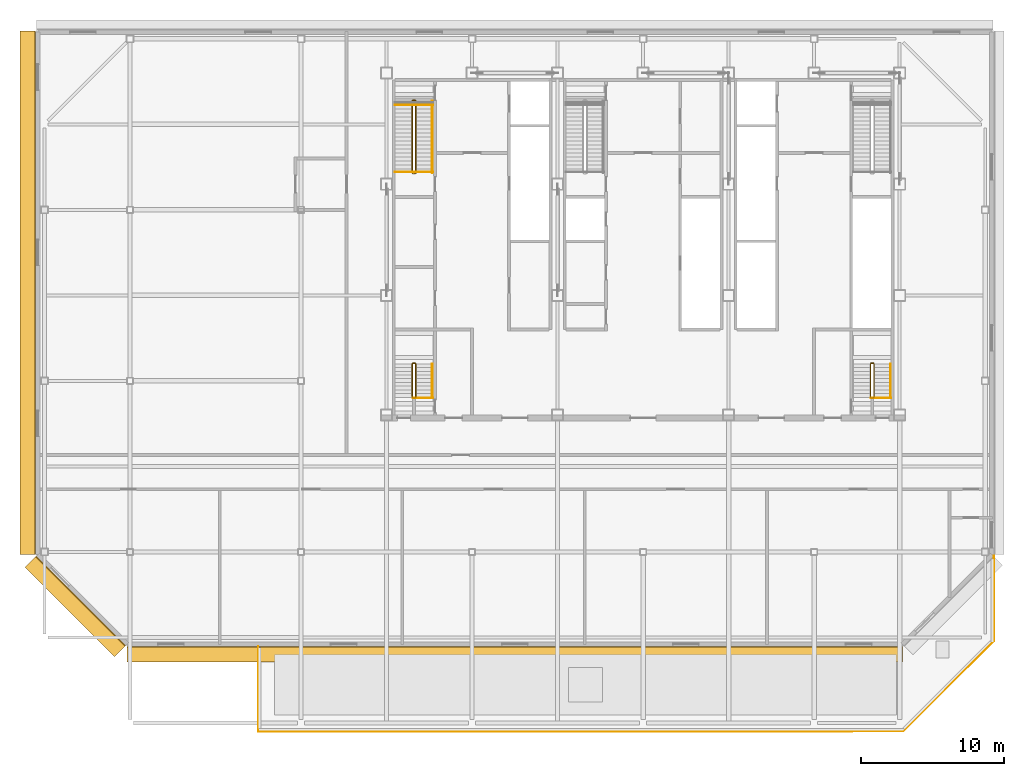
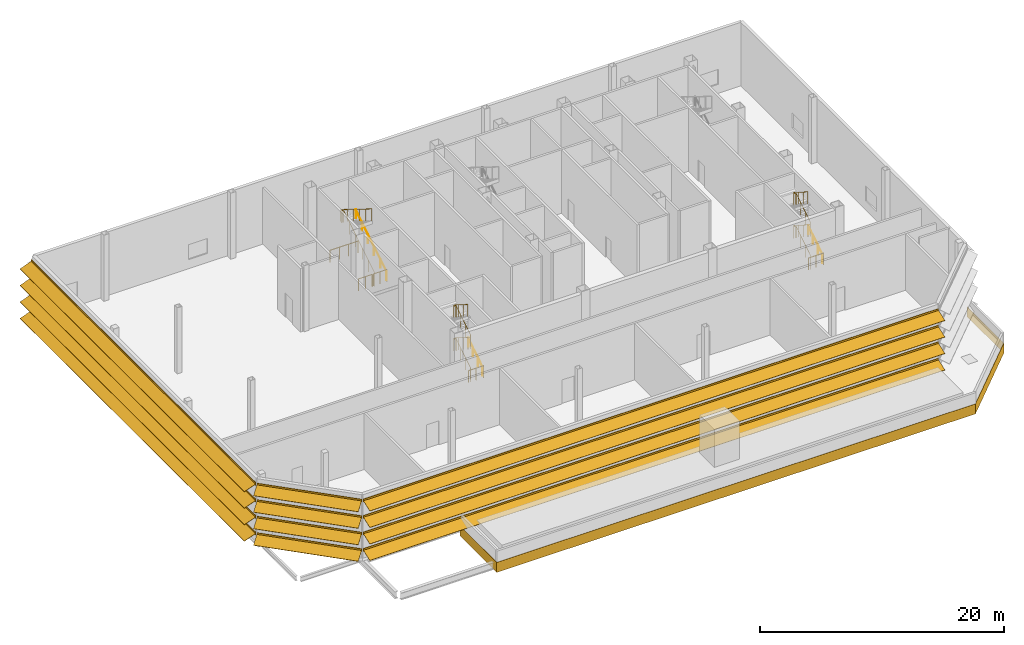
# One storey, part 12 of 14: 13 railings, 3 shading devices, 1 covering.
"""IFC4 building model written with IfcOpenShell, lengths in metres."""

from ifc_helpers import new_model, si_unit, direction, frame, origin, origin_2d, place, context, subcontext, project, spatial, polyline, circle, outline, composite_profile, extrude, material, layer, layer_set, type_object, element, save


model = new_model("IFC4")

# Units and contexts
model_context = context("Model", 3, precision=1e-05, world=origin(), true_north=direction((0.0, 1.0)))
body_context = subcontext(model_context, "Body", "Model", "MODEL_VIEW")
ifc_project = project(units=[si_unit("LENGTHUNIT", "METRE"), si_unit("AREAUNIT", "SQUARE_METRE"), si_unit("VOLUMEUNIT", "CUBIC_METRE"), si_unit("PLANEANGLEUNIT", "RADIAN"), si_unit("MASSUNIT", "GRAM", prefix="KILO")], contexts=[model_context])

# Site, building, storey
site_placement = place(None, origin())
site = spatial("IfcSite", under=ifc_project, at=site_placement, CompositionType="ELEMENT")
building_placement = place(site_placement, origin())
building = spatial("IfcBuilding", under=site, at=building_placement, Name="Sorahane Residences", CompositionType="ELEMENT")
storey_placement = place(building_placement, frame((0.0, 0.0, 331.199951171875)))
storey = spatial("IfcBuildingStorey", under=building, at=storey_placement, Name="L79", CompositionType="ELEMENT", Elevation=331.199951171875)

# Covering
ifc_material_1 = material(Name="Dark bronze aluminium", Category="aluminium")
ifc_layer = layer(ifc_material_1, 0.02001953125)
ifc_layer_set = layer_set([ifc_layer], Name="Edge fascia dark bronze aluminium 20")
covering_type = type_object("IfcCoveringType", Name="Edge fascia dark bronze aluminium 20", PredefinedType="CLADDING", material=ifc_layer_set)
covering_placement = place(storey_placement, frame((0.0, 0.0, -1.0)))
element("IfcCovering", 1, at=covering_placement, inside=storey, type_object=covering_type, Name="Edge fascia L79.1.1", PredefinedType="CLADDING", context=body_context, shape_type="SweptSolid", body=[
    extrude(outline(polyline([(48.62109375, 5.742919921875), (42.257080078125, -0.62109375), (-3.02099609375, -0.62109375), (-3.02099609375, 5.389892578125), (-3.0009765625, 5.389892578125), (-3.0009765625, -0.60107421875), (42.248779296875, -0.60107421875), (48.60107421875, 5.751220703125), (48.60107421875, 11.7373046875), (48.62109375, 11.7373046875), (48.62109375, 5.742919921875)])), origin(), (0.0, 0.0, 1.0), 1.0),
])

# Shading devices
ifc_material_2 = material(Name="Terracotta anodised aluminium", Category="masonry")
shading_device_type_1 = type_object("IfcShadingDeviceType", Name="Louvre sunshade blade S terracotta aluminium 1100", PredefinedType="JALOUSIE", material=ifc_material_2)
shading_device_1_placement = place(storey_placement, frame((-12.198486328125, 5.39990234375, 0.824951171875), z_axis=(1.0, 0.0, 0.0), x_axis=(0.0, 1.0, 0.0)))
element("IfcShadingDevice", 2, at=shading_device_1_placement, inside=storey, type_object=shading_device_type_1, Name="Louvre sunshade blade bank S L79 S1", PredefinedType="JALOUSIE", context=body_context, shape_type="SweptSolid", body=[
    extrude(composite_profile([outline(polyline([(-1.1201171875, -0.385498046875), (-1.1201171875, -0.415283203125), (-0.080078125, -0.036865234375), (-0.080078125, -0.14990234375), (-0.02001953125, -0.14990234375), (-0.02001953125, -0.014892578125), (-0.02001953125, 0.014892578125), (-0.02001953125, 0.14990234375), (-0.080078125, 0.14990234375), (-0.080078125, -0.0068359375), (-1.1201171875, -0.385498046875)])), outline(polyline([(-1.1201171875, 1.2646484375), (-1.1201171875, 1.234619140625), (-0.080078125, 1.61328125), (-0.080078125, 1.5), (-0.02001953125, 1.5), (-0.02001953125, 1.635009765625), (-0.02001953125, 1.6650390625), (-0.02001953125, 1.800048828125), (-0.080078125, 1.800048828125), (-0.080078125, 1.643310546875), (-1.1201171875, 1.2646484375)])), outline(polyline([(-1.1201171875, 2.91455078125), (-1.1201171875, 2.884521484375), (-0.080078125, 3.26318359375), (-0.080078125, 3.14990234375), (-0.02001953125, 3.14990234375), (-0.02001953125, 3.284912109375), (-0.02001953125, 3.31494140625), (-0.02001953125, 3.449951171875), (-0.080078125, 3.449951171875), (-0.080078125, 3.293212890625), (-1.1201171875, 2.91455078125)])), outline(polyline([(-1.1201171875, 4.564697265625), (-1.1201171875, 4.53466796875), (-0.080078125, 4.9130859375), (-0.080078125, 4.800048828125), (-0.02001953125, 4.800048828125), (-0.02001953125, 4.93505859375), (-0.02001953125, 4.965087890625), (-0.02001953125, 5.10009765625), (-0.080078125, 5.10009765625), (-0.080078125, 4.943115234375), (-1.1201171875, 4.564697265625)]))]), origin(), (0.0, 0.0, 1.0), 54.39697265625),
])
ifc_material_3 = material(Name="Terracotta anodised aluminium", Category="masonry")
shading_device_type_2 = type_object("IfcShadingDeviceType", Name="Louvre sunshade blade SW terracotta aluminium 1100", PredefinedType="JALOUSIE", material=ifc_material_3)
shading_device_2_placement = place(storey_placement, frame((-18.564697265625, 11.716064453125, 0.824951171875), z_axis=(0.707106781187, -0.707106781187, 0.0), x_axis=(0.707106781187, 0.707106781187, 0.0)))
element("IfcShadingDevice", 3, at=shading_device_2_placement, inside=storey, type_object=shading_device_type_2, Name="Louvre sunshade blade bank SW L79 SW1", PredefinedType="JALOUSIE", context=body_context, shape_type="SweptSolid", body=[
    extrude(composite_profile([outline(polyline([(-1.1201171875, -0.385498046875), (-1.1201171875, -0.415283203125), (-0.080078125, -0.036865234375), (-0.080078125, -0.14990234375), (-0.02001953125, -0.14990234375), (-0.02001953125, -0.014892578125), (-0.02001953125, 0.014892578125), (-0.02001953125, 0.14990234375), (-0.080078125, 0.14990234375), (-0.080078125, -0.0068359375), (-1.1201171875, -0.385498046875)])), outline(polyline([(-1.1201171875, 1.2646484375), (-1.1201171875, 1.234619140625), (-0.080078125, 1.61328125), (-0.080078125, 1.5), (-0.02001953125, 1.5), (-0.02001953125, 1.635009765625), (-0.02001953125, 1.6650390625), (-0.02001953125, 1.800048828125), (-0.080078125, 1.800048828125), (-0.080078125, 1.643310546875), (-1.1201171875, 1.2646484375)])), outline(polyline([(-1.1201171875, 2.91455078125), (-1.1201171875, 2.884521484375), (-0.080078125, 3.26318359375), (-0.080078125, 3.14990234375), (-0.02001953125, 3.14990234375), (-0.02001953125, 3.284912109375), (-0.02001953125, 3.31494140625), (-0.02001953125, 3.449951171875), (-0.080078125, 3.449951171875), (-0.080078125, 3.293212890625), (-1.1201171875, 2.91455078125)])), outline(polyline([(-1.1201171875, 4.564697265625), (-1.1201171875, 4.53466796875), (-0.080078125, 4.9130859375), (-0.080078125, 4.800048828125), (-0.02001953125, 4.800048828125), (-0.02001953125, 4.93505859375), (-0.02001953125, 4.965087890625), (-0.02001953125, 5.10009765625), (-0.080078125, 5.10009765625), (-0.080078125, 4.943115234375), (-1.1201171875, 4.564697265625)]))]), origin(), (0.0, 0.0, 1.0), 8.88232421875),
])
ifc_material_4 = material(Name="Terracotta anodised aluminium", Category="masonry")
shading_device_type_3 = type_object("IfcShadingDeviceType", Name="Louvre sunshade blade W terracotta aluminium 1100", PredefinedType="JALOUSIE", material=ifc_material_4)
shading_device_3_placement = place(storey_placement, frame((-18.60009765625, 48.550048828125, 0.824951171875), z_axis=(0.0, -1.0, 0.0), x_axis=(1.0, 0.0, 0.0)))
element("IfcShadingDevice", 4, at=shading_device_3_placement, inside=storey, type_object=shading_device_type_3, Name="Louvre sunshade blade bank W L79 W1", PredefinedType="JALOUSIE", context=body_context, shape_type="SweptSolid", body=[
    extrude(composite_profile([outline(polyline([(-1.1201171875, -0.385498046875), (-1.1201171875, -0.415283203125), (-0.080078125, -0.036865234375), (-0.080078125, -0.14990234375), (-0.02001953125, -0.14990234375), (-0.02001953125, -0.014892578125), (-0.02001953125, 0.014892578125), (-0.02001953125, 0.14990234375), (-0.080078125, 0.14990234375), (-0.080078125, -0.0068359375), (-1.1201171875, -0.385498046875)])), outline(polyline([(-1.1201171875, 1.2646484375), (-1.1201171875, 1.234619140625), (-0.080078125, 1.61328125), (-0.080078125, 1.5), (-0.02001953125, 1.5), (-0.02001953125, 1.635009765625), (-0.02001953125, 1.6650390625), (-0.02001953125, 1.800048828125), (-0.080078125, 1.800048828125), (-0.080078125, 1.643310546875), (-1.1201171875, 1.2646484375)])), outline(polyline([(-1.1201171875, 2.91455078125), (-1.1201171875, 2.884521484375), (-0.080078125, 3.26318359375), (-0.080078125, 3.14990234375), (-0.02001953125, 3.14990234375), (-0.02001953125, 3.284912109375), (-0.02001953125, 3.31494140625), (-0.02001953125, 3.449951171875), (-0.080078125, 3.449951171875), (-0.080078125, 3.293212890625), (-1.1201171875, 2.91455078125)])), outline(polyline([(-1.1201171875, 4.564697265625), (-1.1201171875, 4.53466796875), (-0.080078125, 4.9130859375), (-0.080078125, 4.800048828125), (-0.02001953125, 4.800048828125), (-0.02001953125, 4.93505859375), (-0.02001953125, 4.965087890625), (-0.02001953125, 5.10009765625), (-0.080078125, 5.10009765625), (-0.080078125, 4.943115234375), (-1.1201171875, 4.564697265625)]))]), origin(), (0.0, 0.0, 1.0), 36.74853515625),
])

# Railings
ifc_material_5 = material(Name="Steel Q355B", Category="steel")
railing_type_1 = type_object("IfcRailingType", Name="Stair guard 1200 Steel Q355B", PredefinedType="GUARDRAIL", material=ifc_material_5)
for number, where, name in (
    (5, (6.60009765625, 38.64990234375, 0.0), "L79 Stair S1 edge guard"),
    (6, (7.983154296875, 38.64990234375, 0.0), "L79 Stair S1 edge guard"),
):
    element("IfcRailing", number, at=place(storey_placement, frame(where)), inside=storey, type_object=railing_type_1, Name=name, PredefinedType="GUARDRAIL", context=body_context, shape_type="SweptSolid", body=[
        extrude(circle(Radius=0.02392578125, at=origin_2d()), frame((0.0, 0.0, 1.17578125), z_axis=(1.0, 0.0, 0.0), x_axis=(0.0, 1.0, 0.0)), (0.0, 0.0, 1.0), 1.266845703125),
        extrude(circle(Radius=0.02099609375, at=origin_2d()), origin(), (0.0, 0.0, 1.0), 1.15185546875),
        extrude(circle(Radius=0.02099609375, at=origin_2d()), frame((0.63330078125, 0.0, 0.0)), (0.0, 0.0, 1.0), 1.15185546875),
        extrude(circle(Radius=0.02099609375, at=origin_2d()), frame((1.266845703125, 0.0, 0.0)), (0.0, 0.0, 1.0), 1.15185546875),
    ])
railing_1_placement = place(storey_placement, frame((6.60009765625, 43.35009765625, 0.0)))
element("IfcRailing", 7, at=railing_1_placement, inside=storey, type_object=railing_type_1, Name="L79 Stair S1 edge guard", PredefinedType="GUARDRAIL", context=body_context, shape_type="SweptSolid", body=[
    extrude(circle(Radius=0.02392578125, at=origin_2d()), frame((0.0, 0.0, 1.17578125), z_axis=(1.0, 0.0, 0.0), x_axis=(0.0, 1.0, 0.0)), (0.0, 0.0, 1.0), 2.64990234375),
    extrude(circle(Radius=0.02099609375, at=origin_2d()), origin(), (0.0, 0.0, 1.0), 1.15185546875),
    extrude(circle(Radius=0.02099609375, at=origin_2d()), frame((0.88330078125, 0.0, 0.0)), (0.0, 0.0, 1.0), 1.15185546875),
    extrude(circle(Radius=0.02099609375, at=origin_2d()), frame((1.7666015625, 0.0, 0.0)), (0.0, 0.0, 1.0), 1.15185546875),
    extrude(circle(Radius=0.02099609375, at=origin_2d()), frame((2.64990234375, 0.0, 0.0)), (0.0, 0.0, 1.0), 1.15185546875),
])
railing_2_placement = place(storey_placement, frame((7.85009765625, 38.550048828125, 0.0)))
element("IfcRailing", 8, at=railing_2_placement, inside=storey, type_object=railing_type_1, Name="L79 S1 stair guard 1", PredefinedType="GUARDRAIL", context=body_context, shape_type="SweptSolid", body=[
    extrude(circle(Radius=0.02392578125, at=origin_2d()), frame((0.0, 0.0, 1.17578125), z_axis=(1.0, 0.0, 0.0), x_axis=(0.0, 1.0, 0.0)), (0.0, 0.0, 1.0), 0.14990234375),
    extrude(circle(Radius=0.02392578125, at=origin_2d()), frame((0.14990234375, 0.0, 1.17578125), z_axis=(0.266662732588, 0.266662732588, 0.92616519806), x_axis=(-0.707106781187, 0.707106781187, 0.0)), (0.0, 0.0, 1.0), 0.187744140625),
    extrude(circle(Radius=0.02392578125, at=origin_2d()), frame((0.199951171875, 0.050048828125, 1.349609375), z_axis=(0.0, 0.84978578655, 0.527128178888), x_axis=(-1.0, 0.0, 0.0)), (0.0, 0.0, 1.0), 5.9306640625),
    extrude(circle(Radius=0.02392578125, at=origin_2d()), frame((0.199951171875, 5.08984375, 4.47607421875), z_axis=(-0.707106781187, 0.707106781187, 0.0), x_axis=(-0.707106781187, -0.707106781187, 0.0)), (0.0, 0.0, 1.0), 0.07080078125),
    extrude(circle(Radius=0.02392578125, at=origin_2d()), frame((0.14990234375, 5.139892578125, 4.47607421875), z_axis=(-1.0, 0.0, 0.0), x_axis=(0.0, -1.0, 0.0)), (0.0, 0.0, 1.0), 0.14990234375),
    extrude(circle(Radius=0.02392578125, at=origin_2d()), frame((0.0, 5.139892578125, 4.47607421875), z_axis=(-0.266984349811, -0.266984349811, 0.925979866904), x_axis=(0.707106781187, -0.707106781187, 0.0)), (0.0, 0.0, 1.0), 0.1875),
    extrude(circle(Radius=0.02392578125, at=origin_2d()), frame((-0.050048828125, 5.08984375, 4.6494140625), z_axis=(0.0, -0.84976734637, 0.527157905227), x_axis=(1.0, 0.0, 0.0)), (0.0, 0.0, 1.0), 5.930908203125),
    extrude(circle(Radius=0.02099609375, at=origin_2d()), origin(), (0.0, 0.0, 1.0), 1.15185546875),
    extrude(circle(Radius=0.02099609375, at=origin_2d()), frame((0.14990234375, 0.0, 0.0)), (0.0, 0.0, 1.0), 1.15185546875),
    extrude(circle(Radius=0.02099609375, at=origin_2d()), frame((0.199951171875, 0.050048828125, 0.173828125)), (0.0, 0.0, 1.0), 1.15185546875),
    extrude(circle(Radius=0.02099609375, at=origin_2d()), frame((0.199951171875, 1.05810546875, 0.799072265625)), (0.0, 0.0, 1.0), 1.15185546875),
    extrude(circle(Radius=0.02099609375, at=origin_2d()), frame((0.199951171875, 2.06591796875, 1.42431640625)), (0.0, 0.0, 1.0), 1.15185546875),
    extrude(circle(Radius=0.02099609375, at=origin_2d()), frame((0.199951171875, 3.073974609375, 2.049560546875)), (0.0, 0.0, 1.0), 1.15185546875),
    extrude(circle(Radius=0.02099609375, at=origin_2d()), frame((0.199951171875, 4.081787109375, 2.6748046875)), (0.0, 0.0, 1.0), 1.15185546875),
    extrude(circle(Radius=0.02099609375, at=origin_2d()), frame((0.199951171875, 5.08984375, 3.300048828125)), (0.0, 0.0, 1.0), 1.15185546875),
    extrude(circle(Radius=0.02099609375, at=origin_2d()), frame((0.14990234375, 5.139892578125, 3.300048828125)), (0.0, 0.0, 1.0), 1.15185546875),
    extrude(circle(Radius=0.02099609375, at=origin_2d()), frame((0.0, 5.139892578125, 3.300048828125)), (0.0, 0.0, 1.0), 1.15185546875),
    extrude(circle(Radius=0.02099609375, at=origin_2d()), frame((-0.050048828125, 5.08984375, 3.4736328125)), (0.0, 0.0, 1.0), 1.15185546875),
    extrude(circle(Radius=0.02099609375, at=origin_2d()), frame((-0.050048828125, 4.081787109375, 4.098876953125)), (0.0, 0.0, 1.0), 1.15185546875),
    extrude(circle(Radius=0.02099609375, at=origin_2d()), frame((-0.050048828125, 3.073974609375, 4.72412109375)), (0.0, 0.0, 1.0), 1.15185546875),
    extrude(circle(Radius=0.02099609375, at=origin_2d()), frame((-0.050048828125, 2.06591796875, 5.349609375)), (0.0, 0.0, 1.0), 1.15185546875),
    extrude(circle(Radius=0.02099609375, at=origin_2d()), frame((-0.050048828125, 1.05810546875, 5.974853515625)), (0.0, 0.0, 1.0), 1.15185546875),
    extrude(circle(Radius=0.02099609375, at=origin_2d()), frame((-0.050048828125, 0.050048828125, 6.60009765625)), (0.0, 0.0, 1.0), 1.15185546875),
])
railing_3_placement = place(storey_placement, frame((9.25, 22.800048828125, 0.0)))
element("IfcRailing", 9, at=railing_3_placement, inside=storey, type_object=railing_type_1, Name="L79 S4 top well guard 1", PredefinedType="GUARDRAIL", context=body_context, shape_type="SweptSolid", body=[
    extrude(circle(Radius=0.02392578125, at=origin_2d()), frame((0.0, 0.0, 1.17578125), z_axis=(-1.0, 0.0, 0.0), x_axis=(0.0, -1.0, 0.0)), (0.0, 0.0, 1.0), 1.39990234375),
    extrude(circle(Radius=0.02099609375, at=origin_2d()), origin(), (0.0, 0.0, 1.0), 1.15185546875),
    extrude(circle(Radius=0.02099609375, at=origin_2d()), frame((-0.699951171875, 0.0, 0.0)), (0.0, 0.0, 1.0), 1.15185546875),
    extrude(circle(Radius=0.02099609375, at=origin_2d()), frame((-1.39990234375, 0.0, 0.0)), (0.0, 0.0, 1.0), 1.15185546875),
])
railing_4_placement = place(storey_placement, frame((7.85009765625, 22.800048828125, 0.0)))
element("IfcRailing", 10, at=railing_4_placement, inside=storey, type_object=railing_type_1, Name="L79 S4 stair guard 1", PredefinedType="GUARDRAIL", context=body_context, shape_type="SweptSolid", body=[
    extrude(circle(Radius=0.02392578125, at=origin_2d()), frame((0.0, 0.0, 1.17578125), z_axis=(1.0, 0.0, 0.0), x_axis=(0.0, 1.0, 0.0)), (0.0, 0.0, 1.0), 0.14990234375),
    extrude(circle(Radius=0.02392578125, at=origin_2d()), frame((0.14990234375, 0.0, 1.17578125), z_axis=(0.278705021027, 0.278705021027, 0.919046801044), x_axis=(-0.707106781187, 0.707106781187, 0.0)), (0.0, 0.0, 1.0), 0.1796875),
    extrude(circle(Radius=0.02392578125, at=origin_2d()), frame((0.199951171875, 0.050048828125, 1.3408203125), z_axis=(0.0, 0.844295695096, 0.535877578596), x_axis=(-1.0, 0.0, 0.0)), (0.0, 0.0, 1.0), 2.771240234375),
    extrude(circle(Radius=0.02392578125, at=origin_2d()), frame((0.199951171875, 2.389892578125, 2.826171875), z_axis=(-0.707106781187, 0.707106781187, 0.0), x_axis=(-0.707106781187, -0.707106781187, 0.0)), (0.0, 0.0, 1.0), 0.07080078125),
    extrude(circle(Radius=0.02392578125, at=origin_2d()), frame((0.14990234375, 2.43994140625, 2.826171875), z_axis=(-1.0, 0.0, 0.0), x_axis=(0.0, -1.0, 0.0)), (0.0, 0.0, 1.0), 0.14990234375),
    extrude(circle(Radius=0.02392578125, at=origin_2d()), frame((0.0, 2.43994140625, 2.826171875), z_axis=(-0.279053652268, -0.279053652268, 0.918835196492), x_axis=(0.707106781187, -0.707106781187, 0.0)), (0.0, 0.0, 1.0), 0.179443359375),
    extrude(circle(Radius=0.02392578125, at=origin_2d()), frame((-0.050048828125, 2.389892578125, 2.99072265625), z_axis=(0.0, -0.844295695096, 0.535877578596), x_axis=(1.0, 0.0, 0.0)), (0.0, 0.0, 1.0), 2.771240234375),
    extrude(circle(Radius=0.02099609375, at=origin_2d()), origin(), (0.0, 0.0, 1.0), 1.15185546875),
    extrude(circle(Radius=0.02099609375, at=origin_2d()), frame((0.14990234375, 0.0, 0.0)), (0.0, 0.0, 1.0), 1.15185546875),
    extrude(circle(Radius=0.02099609375, at=origin_2d()), frame((0.199951171875, 0.050048828125, 0.1650390625)), (0.0, 0.0, 1.0), 1.15185546875),
    extrude(circle(Radius=0.02099609375, at=origin_2d()), frame((0.199951171875, 0.830078125, 0.66015625)), (0.0, 0.0, 1.0), 1.15185546875),
    extrude(circle(Radius=0.02099609375, at=origin_2d()), frame((0.199951171875, 1.60986328125, 1.155029296875)), (0.0, 0.0, 1.0), 1.15185546875),
    extrude(circle(Radius=0.02099609375, at=origin_2d()), frame((0.199951171875, 2.389892578125, 1.650146484375)), (0.0, 0.0, 1.0), 1.15185546875),
    extrude(circle(Radius=0.02099609375, at=origin_2d()), frame((0.14990234375, 2.43994140625, 1.650146484375)), (0.0, 0.0, 1.0), 1.15185546875),
    extrude(circle(Radius=0.02099609375, at=origin_2d()), frame((0.0, 2.43994140625, 1.650146484375)), (0.0, 0.0, 1.0), 1.15185546875),
    extrude(circle(Radius=0.02099609375, at=origin_2d()), frame((-0.050048828125, 2.389892578125, 1.81494140625)), (0.0, 0.0, 1.0), 1.15185546875),
    extrude(circle(Radius=0.02099609375, at=origin_2d()), frame((-0.050048828125, 1.60986328125, 2.31005859375)), (0.0, 0.0, 1.0), 1.15185546875),
    extrude(circle(Radius=0.02099609375, at=origin_2d()), frame((-0.050048828125, 0.830078125, 2.804931640625)), (0.0, 0.0, 1.0), 1.15185546875),
    extrude(circle(Radius=0.02099609375, at=origin_2d()), frame((-0.050048828125, 0.050048828125, 3.300048828125)), (0.0, 0.0, 1.0), 1.15185546875),
])
railing_5_placement = place(storey_placement, frame((7.85009765625, 22.800048828125, 3.300048828125)))
element("IfcRailing", 11, at=railing_5_placement, inside=storey, type_object=railing_type_1, Name="L79 S4 stair guard 2", PredefinedType="GUARDRAIL", context=body_context, shape_type="SweptSolid", body=[
    extrude(circle(Radius=0.02392578125, at=origin_2d()), frame((0.0, 0.0, 1.17578125), z_axis=(1.0, 0.0, 0.0), x_axis=(0.0, 1.0, 0.0)), (0.0, 0.0, 1.0), 0.14990234375),
    extrude(circle(Radius=0.02392578125, at=origin_2d()), frame((0.14990234375, 0.0, 1.17578125), z_axis=(0.278705021027, 0.278705021027, 0.919046801044), x_axis=(-0.707106781187, 0.707106781187, 0.0)), (0.0, 0.0, 1.0), 0.1796875),
    extrude(circle(Radius=0.02392578125, at=origin_2d()), frame((0.199951171875, 0.050048828125, 1.3408203125), z_axis=(0.0, 0.844335551947, 0.535814777436), x_axis=(-1.0, 0.0, 0.0)), (0.0, 0.0, 1.0), 2.771240234375),
    extrude(circle(Radius=0.02392578125, at=origin_2d()), frame((0.199951171875, 2.389892578125, 2.82568359375), z_axis=(-0.707106781187, 0.707106781187, 0.0), x_axis=(-0.707106781187, -0.707106781187, 0.0)), (0.0, 0.0, 1.0), 0.07080078125),
    extrude(circle(Radius=0.02392578125, at=origin_2d()), frame((0.14990234375, 2.43994140625, 2.82568359375), z_axis=(-1.0, 0.0, 0.0), x_axis=(0.0, -1.0, 0.0)), (0.0, 0.0, 1.0), 0.14990234375),
    extrude(circle(Radius=0.02392578125, at=origin_2d()), frame((0.0, 2.43994140625, 2.82568359375), z_axis=(-0.278705021027, -0.278705021027, 0.919046801044), x_axis=(0.707106781187, -0.707106781187, 0.0)), (0.0, 0.0, 1.0), 0.1796875),
    extrude(circle(Radius=0.02392578125, at=origin_2d()), frame((-0.050048828125, 2.389892578125, 2.99072265625), z_axis=(0.0, -0.844295695096, 0.535877578596), x_axis=(1.0, 0.0, 0.0)), (0.0, 0.0, 1.0), 2.771240234375),
    extrude(circle(Radius=0.02099609375, at=origin_2d()), origin(), (0.0, 0.0, 1.0), 1.15185546875),
    extrude(circle(Radius=0.02099609375, at=origin_2d()), frame((0.14990234375, 0.0, 0.0)), (0.0, 0.0, 1.0), 1.15185546875),
    extrude(circle(Radius=0.02099609375, at=origin_2d()), frame((0.199951171875, 0.050048828125, 0.1650390625)), (0.0, 0.0, 1.0), 1.15185546875),
    extrude(circle(Radius=0.02099609375, at=origin_2d()), frame((0.199951171875, 0.830078125, 0.659912109375)), (0.0, 0.0, 1.0), 1.15185546875),
    extrude(circle(Radius=0.02099609375, at=origin_2d()), frame((0.199951171875, 1.60986328125, 1.155029296875)), (0.0, 0.0, 1.0), 1.15185546875),
    extrude(circle(Radius=0.02099609375, at=origin_2d()), frame((0.199951171875, 2.389892578125, 1.64990234375)), (0.0, 0.0, 1.0), 1.15185546875),
    extrude(circle(Radius=0.02099609375, at=origin_2d()), frame((0.14990234375, 2.43994140625, 1.64990234375)), (0.0, 0.0, 1.0), 1.15185546875),
    extrude(circle(Radius=0.02099609375, at=origin_2d()), frame((0.0, 2.43994140625, 1.64990234375)), (0.0, 0.0, 1.0), 1.15185546875),
    extrude(circle(Radius=0.02099609375, at=origin_2d()), frame((-0.050048828125, 2.389892578125, 1.81494140625)), (0.0, 0.0, 1.0), 1.15185546875),
    extrude(circle(Radius=0.02099609375, at=origin_2d()), frame((-0.050048828125, 1.60986328125, 2.31005859375)), (0.0, 0.0, 1.0), 1.15185546875),
    extrude(circle(Radius=0.02099609375, at=origin_2d()), frame((-0.050048828125, 0.830078125, 2.804931640625)), (0.0, 0.0, 1.0), 1.15185546875),
    extrude(circle(Radius=0.02099609375, at=origin_2d()), frame((-0.050048828125, 0.050048828125, 3.300048828125)), (0.0, 0.0, 1.0), 1.15185546875),
])
railing_6_placement = place(storey_placement, frame((41.39990234375, 22.800048828125, 0.0)))
element("IfcRailing", 12, at=railing_6_placement, inside=storey, type_object=railing_type_1, Name="L79 S5 top well guard 1", PredefinedType="GUARDRAIL", context=body_context, shape_type="SweptSolid", body=[
    extrude(circle(Radius=0.02392578125, at=origin_2d()), frame((0.0, 0.0, 1.17578125), z_axis=(-1.0, 0.0, 0.0), x_axis=(0.0, -1.0, 0.0)), (0.0, 0.0, 1.0), 1.39990234375),
    extrude(circle(Radius=0.02099609375, at=origin_2d()), origin(), (0.0, 0.0, 1.0), 1.15185546875),
    extrude(circle(Radius=0.02099609375, at=origin_2d()), frame((-0.699951171875, 0.0, 0.0)), (0.0, 0.0, 1.0), 1.15185546875),
    extrude(circle(Radius=0.02099609375, at=origin_2d()), frame((-1.39990234375, 0.0, 0.0)), (0.0, 0.0, 1.0), 1.15185546875),
])
railing_7_placement = place(storey_placement, frame((40.0, 22.800048828125, 0.0)))
element("IfcRailing", 13, at=railing_7_placement, inside=storey, type_object=railing_type_1, Name="L79 S5 stair guard 1", PredefinedType="GUARDRAIL", context=body_context, shape_type="SweptSolid", body=[
    extrude(circle(Radius=0.02392578125, at=origin_2d()), frame((0.0, 0.0, 1.17578125), z_axis=(1.0, 0.0, 0.0), x_axis=(0.0, 1.0, 0.0)), (0.0, 0.0, 1.0), 0.14990234375),
    extrude(circle(Radius=0.02392578125, at=origin_2d()), frame((0.14990234375, 0.0, 1.17578125), z_axis=(0.278705021027, 0.278705021027, 0.919046801044), x_axis=(-0.707106781187, 0.707106781187, 0.0)), (0.0, 0.0, 1.0), 0.1796875),
    extrude(circle(Radius=0.02392578125, at=origin_2d()), frame((0.199951171875, 0.050048828125, 1.3408203125), z_axis=(0.0, 0.844295695096, 0.535877578596), x_axis=(-1.0, 0.0, 0.0)), (0.0, 0.0, 1.0), 2.771240234375),
    extrude(circle(Radius=0.02392578125, at=origin_2d()), frame((0.199951171875, 2.389892578125, 2.826171875), z_axis=(-0.707106781187, 0.707106781187, 0.0), x_axis=(-0.707106781187, -0.707106781187, 0.0)), (0.0, 0.0, 1.0), 0.07080078125),
    extrude(circle(Radius=0.02392578125, at=origin_2d()), frame((0.14990234375, 2.43994140625, 2.826171875), z_axis=(-1.0, 0.0, 0.0), x_axis=(0.0, -1.0, 0.0)), (0.0, 0.0, 1.0), 0.14990234375),
    extrude(circle(Radius=0.02392578125, at=origin_2d()), frame((0.0, 2.43994140625, 2.826171875), z_axis=(-0.279053652268, -0.279053652268, 0.918835196492), x_axis=(0.707106781187, -0.707106781187, 0.0)), (0.0, 0.0, 1.0), 0.179443359375),
    extrude(circle(Radius=0.02392578125, at=origin_2d()), frame((-0.050048828125, 2.389892578125, 2.99072265625), z_axis=(0.0, -0.844295695096, 0.535877578596), x_axis=(1.0, 0.0, 0.0)), (0.0, 0.0, 1.0), 2.771240234375),
    extrude(circle(Radius=0.02099609375, at=origin_2d()), origin(), (0.0, 0.0, 1.0), 1.15185546875),
    extrude(circle(Radius=0.02099609375, at=origin_2d()), frame((0.14990234375, 0.0, 0.0)), (0.0, 0.0, 1.0), 1.15185546875),
    extrude(circle(Radius=0.02099609375, at=origin_2d()), frame((0.199951171875, 0.050048828125, 0.1650390625)), (0.0, 0.0, 1.0), 1.15185546875),
    extrude(circle(Radius=0.02099609375, at=origin_2d()), frame((0.199951171875, 0.830078125, 0.66015625)), (0.0, 0.0, 1.0), 1.15185546875),
    extrude(circle(Radius=0.02099609375, at=origin_2d()), frame((0.199951171875, 1.60986328125, 1.155029296875)), (0.0, 0.0, 1.0), 1.15185546875),
    extrude(circle(Radius=0.02099609375, at=origin_2d()), frame((0.199951171875, 2.389892578125, 1.650146484375)), (0.0, 0.0, 1.0), 1.15185546875),
    extrude(circle(Radius=0.02099609375, at=origin_2d()), frame((0.14990234375, 2.43994140625, 1.650146484375)), (0.0, 0.0, 1.0), 1.15185546875),
    extrude(circle(Radius=0.02099609375, at=origin_2d()), frame((0.0, 2.43994140625, 1.650146484375)), (0.0, 0.0, 1.0), 1.15185546875),
    extrude(circle(Radius=0.02099609375, at=origin_2d()), frame((-0.050048828125, 2.389892578125, 1.81494140625)), (0.0, 0.0, 1.0), 1.15185546875),
    extrude(circle(Radius=0.02099609375, at=origin_2d()), frame((-0.050048828125, 1.60986328125, 2.31005859375)), (0.0, 0.0, 1.0), 1.15185546875),
    extrude(circle(Radius=0.02099609375, at=origin_2d()), frame((-0.050048828125, 0.830078125, 2.804931640625)), (0.0, 0.0, 1.0), 1.15185546875),
    extrude(circle(Radius=0.02099609375, at=origin_2d()), frame((-0.050048828125, 0.050048828125, 3.300048828125)), (0.0, 0.0, 1.0), 1.15185546875),
])
railing_8_placement = place(storey_placement, frame((40.0, 22.800048828125, 3.300048828125)))
element("IfcRailing", 14, at=railing_8_placement, inside=storey, type_object=railing_type_1, Name="L79 S5 stair guard 2", PredefinedType="GUARDRAIL", context=body_context, shape_type="SweptSolid", body=[
    extrude(circle(Radius=0.02392578125, at=origin_2d()), frame((0.0, 0.0, 1.17578125), z_axis=(1.0, 0.0, 0.0), x_axis=(0.0, 1.0, 0.0)), (0.0, 0.0, 1.0), 0.14990234375),
    extrude(circle(Radius=0.02392578125, at=origin_2d()), frame((0.14990234375, 0.0, 1.17578125), z_axis=(0.278705021027, 0.278705021027, 0.919046801044), x_axis=(-0.707106781187, 0.707106781187, 0.0)), (0.0, 0.0, 1.0), 0.1796875),
    extrude(circle(Radius=0.02392578125, at=origin_2d()), frame((0.199951171875, 0.050048828125, 1.3408203125), z_axis=(0.0, 0.844335551947, 0.535814777436), x_axis=(-1.0, 0.0, 0.0)), (0.0, 0.0, 1.0), 2.771240234375),
    extrude(circle(Radius=0.02392578125, at=origin_2d()), frame((0.199951171875, 2.389892578125, 2.82568359375), z_axis=(-0.707106781187, 0.707106781187, 0.0), x_axis=(-0.707106781187, -0.707106781187, 0.0)), (0.0, 0.0, 1.0), 0.07080078125),
    extrude(circle(Radius=0.02392578125, at=origin_2d()), frame((0.14990234375, 2.43994140625, 2.82568359375), z_axis=(-1.0, 0.0, 0.0), x_axis=(0.0, -1.0, 0.0)), (0.0, 0.0, 1.0), 0.14990234375),
    extrude(circle(Radius=0.02392578125, at=origin_2d()), frame((0.0, 2.43994140625, 2.82568359375), z_axis=(-0.278705021027, -0.278705021027, 0.919046801044), x_axis=(0.707106781187, -0.707106781187, 0.0)), (0.0, 0.0, 1.0), 0.1796875),
    extrude(circle(Radius=0.02392578125, at=origin_2d()), frame((-0.050048828125, 2.389892578125, 2.99072265625), z_axis=(0.0, -0.844295695096, 0.535877578596), x_axis=(1.0, 0.0, 0.0)), (0.0, 0.0, 1.0), 2.771240234375),
    extrude(circle(Radius=0.02099609375, at=origin_2d()), origin(), (0.0, 0.0, 1.0), 1.15185546875),
    extrude(circle(Radius=0.02099609375, at=origin_2d()), frame((0.14990234375, 0.0, 0.0)), (0.0, 0.0, 1.0), 1.15185546875),
    extrude(circle(Radius=0.02099609375, at=origin_2d()), frame((0.199951171875, 0.050048828125, 0.1650390625)), (0.0, 0.0, 1.0), 1.15185546875),
    extrude(circle(Radius=0.02099609375, at=origin_2d()), frame((0.199951171875, 0.830078125, 0.659912109375)), (0.0, 0.0, 1.0), 1.15185546875),
    extrude(circle(Radius=0.02099609375, at=origin_2d()), frame((0.199951171875, 1.60986328125, 1.155029296875)), (0.0, 0.0, 1.0), 1.15185546875),
    extrude(circle(Radius=0.02099609375, at=origin_2d()), frame((0.199951171875, 2.389892578125, 1.64990234375)), (0.0, 0.0, 1.0), 1.15185546875),
    extrude(circle(Radius=0.02099609375, at=origin_2d()), frame((0.14990234375, 2.43994140625, 1.64990234375)), (0.0, 0.0, 1.0), 1.15185546875),
    extrude(circle(Radius=0.02099609375, at=origin_2d()), frame((0.0, 2.43994140625, 1.64990234375)), (0.0, 0.0, 1.0), 1.15185546875),
    extrude(circle(Radius=0.02099609375, at=origin_2d()), frame((-0.050048828125, 2.389892578125, 1.81494140625)), (0.0, 0.0, 1.0), 1.15185546875),
    extrude(circle(Radius=0.02099609375, at=origin_2d()), frame((-0.050048828125, 1.60986328125, 2.31005859375)), (0.0, 0.0, 1.0), 1.15185546875),
    extrude(circle(Radius=0.02099609375, at=origin_2d()), frame((-0.050048828125, 0.830078125, 2.804931640625)), (0.0, 0.0, 1.0), 1.15185546875),
    extrude(circle(Radius=0.02099609375, at=origin_2d()), frame((-0.050048828125, 0.050048828125, 3.300048828125)), (0.0, 0.0, 1.0), 1.15185546875),
])
ifc_material_6 = material(Name="Steel Q355B", Category="steel")
railing_type_2 = type_object("IfcRailingType", Name="Stair handrail 900 Steel Q355B", PredefinedType="HANDRAIL", material=ifc_material_6)
railing_9_placement = place(storey_placement, frame((9.199951171875, 38.60009765625, 0.173828125)))
element("IfcRailing", 15, at=railing_9_placement, inside=storey, type_object=railing_type_2, Name="L79 S1 stair handrail 1", PredefinedType="HANDRAIL", context=body_context, shape_type="SweptSolid", body=[
    extrude(circle(Radius=0.02392578125, at=origin_2d()), frame((0.0, 0.0, 0.8759765625), z_axis=(0.0, 0.84978578655, 0.527128178888), x_axis=(-1.0, 0.0, 0.0)), (0.0, 0.0, 1.0), 5.9306640625),
    extrude(circle(Radius=0.02099609375, at=origin_2d()), origin(), (0.0, 0.0, 1.0), 0.851806640625),
    extrude(circle(Radius=0.02099609375, at=origin_2d()), frame((0.0, 1.008056640625, 0.625244140625)), (0.0, 0.0, 1.0), 0.851806640625),
    extrude(circle(Radius=0.02099609375, at=origin_2d()), frame((0.0, 2.015869140625, 1.25048828125)), (0.0, 0.0, 1.0), 0.851806640625),
    extrude(circle(Radius=0.02099609375, at=origin_2d()), frame((0.0, 3.02392578125, 1.875732421875)), (0.0, 0.0, 1.0), 0.851806640625),
    extrude(circle(Radius=0.02099609375, at=origin_2d()), frame((0.0, 4.03173828125, 2.5009765625)), (0.0, 0.0, 1.0), 0.851806640625),
    extrude(circle(Radius=0.02099609375, at=origin_2d()), frame((0.0, 5.039794921875, 3.126220703125)), (0.0, 0.0, 1.0), 0.851806640625),
])
for number, where, name in (
    (16, (9.199951171875, 22.85009765625, 0.1650390625), "L79 S4 stair handrail 1"),
    (17, (41.35009765625, 22.85009765625, 0.1650390625), "L79 S5 stair handrail 1"),
):
    element("IfcRailing", number, at=place(storey_placement, frame(where)), inside=storey, type_object=railing_type_2, Name=name, PredefinedType="HANDRAIL", context=body_context, shape_type="SweptSolid", body=[
        extrude(circle(Radius=0.02392578125, at=origin_2d()), frame((0.0, 0.0, 0.8759765625), z_axis=(0.0, 0.844295695096, 0.535877578596), x_axis=(-1.0, 0.0, 0.0)), (0.0, 0.0, 1.0), 2.771240234375),
        extrude(circle(Radius=0.02099609375, at=origin_2d()), origin(), (0.0, 0.0, 1.0), 0.851806640625),
        extrude(circle(Radius=0.02099609375, at=origin_2d()), frame((0.0, 0.780029296875, 0.4951171875)), (0.0, 0.0, 1.0), 0.851806640625),
        extrude(circle(Radius=0.02099609375, at=origin_2d()), frame((0.0, 1.559814453125, 0.989990234375)), (0.0, 0.0, 1.0), 0.851806640625),
        extrude(circle(Radius=0.02099609375, at=origin_2d()), frame((0.0, 2.33984375, 1.485107421875)), (0.0, 0.0, 1.0), 0.851806640625),
    ])

save(model, "model.ifc")
